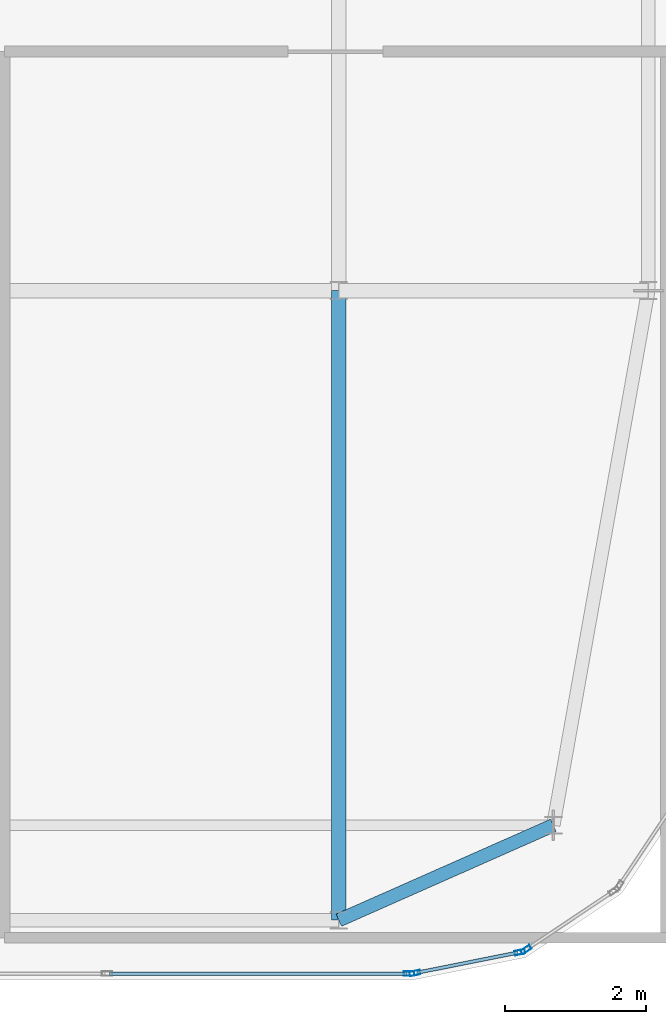
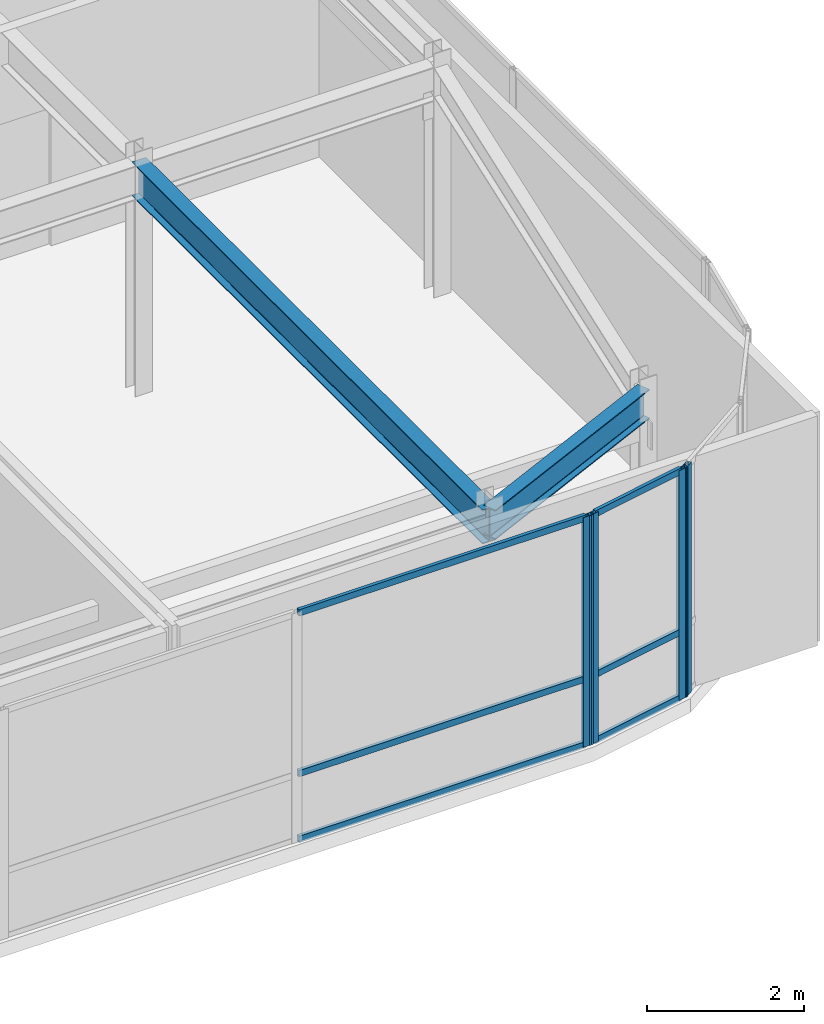
# One storey, part 14 of 36: 10 members, 2 beams, 3 elements without a shape of their own.
"""IFC4 building model written with IfcOpenShell, lengths in metres."""

from ifc_helpers import new_model, si_unit, direction, frame, origin, origin_2d, place, context, subcontext, project, spatial, hollow_rectangle, i_section, extrude, source, transform, mapped, material, layer, layer_set, material_profile, profile_set, type_object, type_shapes, element, aggregate, save


model = new_model("IFC4")

# Units and contexts
model_context = context("Model", 3, precision=1e-05, world=origin(), true_north=direction((0.0, 1.0)))
body_context = subcontext(model_context, "Body", "Model", "MODEL_VIEW")
ifc_project = project(units=[si_unit("LENGTHUNIT", "METRE"), si_unit("AREAUNIT", "SQUARE_METRE"), si_unit("VOLUMEUNIT", "CUBIC_METRE"), si_unit("PLANEANGLEUNIT", "RADIAN"), si_unit("MASSUNIT", "GRAM", prefix="KILO")], contexts=[model_context])

# Site, building, storey
site_placement = place(None, origin())
site = spatial("IfcSite", under=ifc_project, at=site_placement, CompositionType="ELEMENT")
building_placement = place(site_placement, origin())
building = spatial("IfcBuilding", under=site, at=building_placement, Name="Tolvann Quenvar Hotel", CompositionType="ELEMENT")
storey_placement = place(building_placement, frame((0.0, 0.0, 306.14990234375)))
storey = spatial("IfcBuildingStorey", under=building, at=storey_placement, Name="L81", CompositionType="ELEMENT", Elevation=306.14990234375)

# Beams
ifc_material_1 = material(Name="Steel Grade 350", Category="steel")
ifc_material_profile_1 = material_profile(ifc_material_1, i_section(OverallWidth=0.19091796875, OverallDepth=0.4599609375, WebThickness=0.010009765625, FlangeThickness=0.01611328125, FilletRadius=0.011474609375, at=origin_2d()), Name="460UB82")
ifc_profile_set_1 = profile_set([ifc_material_profile_1], Name="Steel Grade 350")
beam_type_1 = type_object("IfcBeamType", Name="BM_SPAND_460UB82", PredefinedType="SPANDREL", material=ifc_profile_set_1)
shared_shape_1 = source(origin(), body_context, "Body", "SweptSolid", [
    extrude(i_section(OverallWidth=0.19091796875, OverallDepth=0.4599609375, WebThickness=0.010009765625, FlangeThickness=0.01611328125, FilletRadius=0.011474609375, at=origin_2d()), origin(), (0.0, 0.0, 1.0), 3.33544921875),
])
type_shapes(beam_type_1, [shared_shape_1])
beam_1_placement = place(storey_placement, frame((32.75, 7.050048828125, 3.35009765625), z_axis=(0.914447312445, 0.404704970024, 0.0), x_axis=(-0.404704970024, 0.914447312445, 0.0)))
element("IfcBeam", 1, at=beam_1_placement, inside=storey, type_object=beam_type_1, Name="BM-L81-EW-2-FP2-G2", PredefinedType="SPANDREL", context=body_context, shape_type="MappedRepresentation", body=[
    mapped(shared_shape_1, transform((0.0, 0.0, 0.0), x_axis=(1.0, 0.0, 0.0), y_axis=(0.0, 1.0, 0.0), z_axis=(0.0, 0.0, 1.0), scale=1.0)),
])
ifc_material_profile_2 = material_profile(ifc_material_1, i_section(OverallWidth=0.208984375, OverallDepth=0.532958984375, WebThickness=0.01025390625, FlangeThickness=0.015625, FilletRadius=0.013916015625, at=origin_2d()), Name="530UB92")
ifc_profile_set_2 = profile_set([ifc_material_profile_2], Name="Steel Grade 350")
beam_type_2 = type_object("IfcBeamType", Name="BM_GIRD_530UB92", PredefinedType="BEAM", material=ifc_profile_set_2)
shared_shape_2 = source(origin(), body_context, "Body", "SweptSolid", [
    extrude(i_section(OverallWidth=0.208984375, OverallDepth=0.532958984375, WebThickness=0.01025390625, FlangeThickness=0.015625, FilletRadius=0.013916015625, at=origin_2d()), origin(), (0.0, 0.0, 1.0), 8.949951171875),
])
type_shapes(beam_type_2, [shared_shape_2])
beam_2_placement = place(storey_placement, frame((32.75, 7.050048828125, 3.3134765625), z_axis=(0.0, 1.0, 0.0), x_axis=(-1.0, 0.0, 0.0)))
element("IfcBeam", 2, at=beam_2_placement, inside=storey, type_object=beam_type_2, Name="BM-L81-NS-FP2-FP4", PredefinedType="BEAM", context=body_context, shape_type="MappedRepresentation", body=[
    mapped(shared_shape_2, transform((0.0, 0.0, 0.0), x_axis=(1.0, 0.0, 0.0), y_axis=(0.0, 1.0, 0.0), z_axis=(0.0, 0.0, 1.0), scale=1.0)),
])

# Curtain wall, member
ifc_material_2 = material(Name="Thermally broken anodised architectural aluminium 6063-T6 and laminated low-E glass", Category="aluminium")
ifc_layer = layer(ifc_material_2, 0.179931640625)
ifc_layer_set = layer_set([ifc_layer], Name="Thermally broken anodised architectural aluminium 6063-T6 and laminated low-E glass")
curtain_wall_type = type_object("IfcCurtainWallType", Name="CW_SYS_LANT_06", PredefinedType="USERDEFINED", material=ifc_layer_set)
curtain_wall_1_placement = place(storey_placement, origin())
curtain_wall_1 = element("IfcCurtainWall", 3, at=curtain_wall_1_placement, inside=storey, type_object=curtain_wall_type, Name="Curtain Wall CW-LANT-06 (CWR-L81-E04)", ObjectType="UNITISED CURTAIN WALL", PredefinedType="USERDEFINED")
ifc_material_3 = material(Name="Anodised architectural aluminium 6063-T6 framing", Category="aluminium")
ifc_material_profile_3 = material_profile(ifc_material_3, hollow_rectangle(XDim=0.06494140625, YDim=0.14990234375, WallThickness=0.00390625, at=origin_2d()), Name="150x65x4RHS")
ifc_profile_set_3 = profile_set([ifc_material_profile_3], Name="Anodised architectural aluminium 6063-T6 framing")
member_type_1 = type_object("IfcMemberType", Name="CW_MULL_150x65", PredefinedType="MULLION", material=ifc_profile_set_3)
shared_shape_3 = source(origin(), body_context, "Body", "SweptSolid", [
    extrude(hollow_rectangle(XDim=0.06494140625, YDim=0.14990234375, WallThickness=0.00390625, at=origin_2d()), origin(), (0.0, 0.0, 1.0), 3.580078125),
])
type_shapes(member_type_1, [shared_shape_3])
member_1_placement = place(storey_placement, frame((33.750244140625, 6.2900390625, 0.0), z_axis=(0.0, 0.0, 1.0), x_axis=(0.0, 1.0, 0.0)))
member_1 = element("IfcMember", 4, at=member_1_placement, type_object=member_type_1, Name="CW-LANT-06 mullion 7", PredefinedType="MULLION", context=body_context, shape_type="MappedRepresentation", body=[
    mapped(shared_shape_3, transform((0.0, 0.0, 0.0), x_axis=(1.0, 0.0, 0.0), y_axis=(0.0, 1.0, 0.0), z_axis=(0.0, 0.0, 1.0), scale=1.0)),
])

# Curtain wall, members
curtain_wall_2_placement = place(storey_placement, origin())
curtain_wall_2 = element("IfcCurtainWall", 5, at=curtain_wall_2_placement, inside=storey, type_object=curtain_wall_type, Name="Curtain Wall CW-LANT-06 (CWR-L81-E05)", ObjectType="UNITISED CURTAIN WALL", PredefinedType="USERDEFINED")
member_2_placement = place(storey_placement, frame((33.831298828125, 6.2978515625, 0.0), z_axis=(0.0, 0.0, 1.0), x_axis=(-0.195061569369, 0.980790999222, 0.0)))
member_2 = element("IfcMember", 6, at=member_2_placement, type_object=member_type_1, Name="CW-LANT-06 mullion 1", PredefinedType="MULLION", context=body_context, shape_type="MappedRepresentation", body=[
    mapped(shared_shape_3, transform((0.0, 0.0, 0.0), x_axis=(1.0, 0.0, 0.0), y_axis=(0.0, 1.0, 0.0), z_axis=(0.0, 0.0, 1.0), scale=1.0)),
])
member_3_placement = place(storey_placement, frame((35.32373046875, 6.5947265625, 0.0), z_axis=(0.0, 0.0, 1.0), x_axis=(-0.195061569369, 0.980790999222, 0.0)))
member_3 = element("IfcMember", 7, at=member_3_placement, type_object=member_type_1, Name="CW-LANT-06 mullion 2", PredefinedType="MULLION", context=body_context, shape_type="MappedRepresentation", body=[
    mapped(shared_shape_3, transform((0.0, 0.0, 0.0), x_axis=(1.0, 0.0, 0.0), y_axis=(0.0, 1.0, 0.0), z_axis=(0.0, 0.0, 1.0), scale=1.0)),
])

# Curtain wall, member
curtain_wall_3_placement = place(storey_placement, origin())
curtain_wall_3 = element("IfcCurtainWall", 8, at=curtain_wall_3_placement, inside=storey, type_object=curtain_wall_type, Name="Curtain Wall CW-LANT-06 (CWR-L81-E06)", ObjectType="UNITISED CURTAIN WALL", PredefinedType="USERDEFINED")
member_4_placement = place(storey_placement, frame((35.413330078125, 6.6318359375, 0.0), z_axis=(0.0, 0.0, 1.0), x_axis=(-0.555655769644, 0.831412452193, 0.0)))
member_4 = element("IfcMember", 9, at=member_4_placement, type_object=member_type_1, Name="CW-LANT-06 mullion 1", PredefinedType="MULLION", context=body_context, shape_type="MappedRepresentation", body=[
    mapped(shared_shape_3, transform((0.0, 0.0, 0.0), x_axis=(1.0, 0.0, 0.0), y_axis=(0.0, 1.0, 0.0), z_axis=(0.0, 0.0, 1.0), scale=1.0)),
])
aggregate(curtain_wall_3, [member_4])

# Member
ifc_material_profile_4 = material_profile(ifc_material_3, hollow_rectangle(XDim=0.050048828125, YDim=0.10009765625, WallThickness=0.0029296875, at=origin_2d()), Name="100x50x3RHS")
ifc_profile_set_4 = profile_set([ifc_material_profile_4], Name="Anodised architectural aluminium 6063-T6 framing")
member_type_2 = type_object("IfcMemberType", Name="CW_TRAN_100x50", PredefinedType="USERDEFINED", material=ifc_profile_set_4)
shared_shape_4 = source(origin(), body_context, "Body", "SweptSolid", [
    extrude(hollow_rectangle(XDim=0.050048828125, YDim=0.10009765625, WallThickness=0.0029296875, at=origin_2d()), origin(), (0.0, 0.0, 1.0), 1.456787109375),
])
member_5_placement = place(storey_placement, frame((33.863037109375, 6.30419921875, 0.025146484375), z_axis=(0.980786408364, 0.195084651288, 0.0), x_axis=(-0.195084651288, 0.980786408364, 0.0)))
member_5 = element("IfcMember", 10, at=member_5_placement, type_object=member_type_2, Name="CW-LANT-06 transom 1.1", ObjectType="TRANSOM", PredefinedType="USERDEFINED", context=body_context, shape_type="MappedRepresentation", body=[
    mapped(shared_shape_4, transform((0.0, 0.0, 0.0), x_axis=(1.0, 0.0, 0.0), y_axis=(0.0, 1.0, 0.0), z_axis=(0.0, 0.0, 1.0), scale=1.0)),
])

member_6_placement = place(storey_placement, frame((33.863037109375, 6.30419921875, 1.050048828125), z_axis=(0.980786408364, 0.195084651288, 0.0), x_axis=(-0.195084651288, 0.980786408364, 0.0)))
member_6 = element("IfcMember", 11, at=member_6_placement, type_object=member_type_2, Name="CW-LANT-06 transom 1.2", ObjectType="TRANSOM", PredefinedType="USERDEFINED", context=body_context, shape_type="MappedRepresentation", body=[
    mapped(shared_shape_4, transform((0.0, 0.0, 0.0), x_axis=(1.0, 0.0, 0.0), y_axis=(0.0, 1.0, 0.0), z_axis=(0.0, 0.0, 1.0), scale=1.0)),
])

member_7_placement = place(storey_placement, frame((33.863037109375, 6.30419921875, 3.55517578125), z_axis=(0.980786408364, 0.195084651288, 0.0), x_axis=(-0.195084651288, 0.980786408364, 0.0)))
member_7 = element("IfcMember", 12, at=member_7_placement, type_object=member_type_2, Name="CW-LANT-06 transom 1.3", ObjectType="TRANSOM", PredefinedType="USERDEFINED", context=body_context, shape_type="MappedRepresentation", body=[
    mapped(shared_shape_4, transform((0.0, 0.0, 0.0), x_axis=(1.0, 0.0, 0.0), y_axis=(0.0, 1.0, 0.0), z_axis=(0.0, 0.0, 1.0), scale=1.0)),
])

aggregate(curtain_wall_2, [member_2, member_3, member_5, member_6, member_7])

shared_shape_5 = source(origin(), body_context, "Body", "SweptSolid", [
    extrude(hollow_rectangle(XDim=0.050048828125, YDim=0.10009765625, WallThickness=0.0029296875, at=origin_2d()), origin(), (0.0, 0.0, 1.0), 4.22998046875),
])
type_shapes(member_type_2, [shared_shape_4, shared_shape_5])
member_8_placement = place(storey_placement, frame((29.48779296875, 6.2900390625, 0.025146484375), z_axis=(1.0, 0.0, 0.0), x_axis=(0.0, 1.0, 0.0)))
member_8 = element("IfcMember", 13, at=member_8_placement, type_object=member_type_2, Name="CW-LANT-06 transom 6.1", ObjectType="TRANSOM", PredefinedType="USERDEFINED", context=body_context, shape_type="MappedRepresentation", body=[
    mapped(shared_shape_5, transform((0.0, 0.0, 0.0), x_axis=(1.0, 0.0, 0.0), y_axis=(0.0, 1.0, 0.0), z_axis=(0.0, 0.0, 1.0), scale=1.0)),
])

member_9_placement = place(storey_placement, frame((29.48779296875, 6.2900390625, 1.050048828125), z_axis=(1.0, 0.0, 0.0), x_axis=(0.0, 1.0, 0.0)))
member_9 = element("IfcMember", 14, at=member_9_placement, type_object=member_type_2, Name="CW-LANT-06 transom 6.2", ObjectType="TRANSOM", PredefinedType="USERDEFINED", context=body_context, shape_type="MappedRepresentation", body=[
    mapped(shared_shape_5, transform((0.0, 0.0, 0.0), x_axis=(1.0, 0.0, 0.0), y_axis=(0.0, 1.0, 0.0), z_axis=(0.0, 0.0, 1.0), scale=1.0)),
])

member_10_placement = place(storey_placement, frame((29.48779296875, 6.2900390625, 3.55517578125), z_axis=(1.0, 0.0, 0.0), x_axis=(0.0, 1.0, 0.0)))
member_10 = element("IfcMember", 15, at=member_10_placement, type_object=member_type_2, Name="CW-LANT-06 transom 6.3", ObjectType="TRANSOM", PredefinedType="USERDEFINED", context=body_context, shape_type="MappedRepresentation", body=[
    mapped(shared_shape_5, transform((0.0, 0.0, 0.0), x_axis=(1.0, 0.0, 0.0), y_axis=(0.0, 1.0, 0.0), z_axis=(0.0, 0.0, 1.0), scale=1.0)),
])

aggregate(curtain_wall_1, [member_1, member_8, member_9, member_10])

save(model, "model.ifc")
